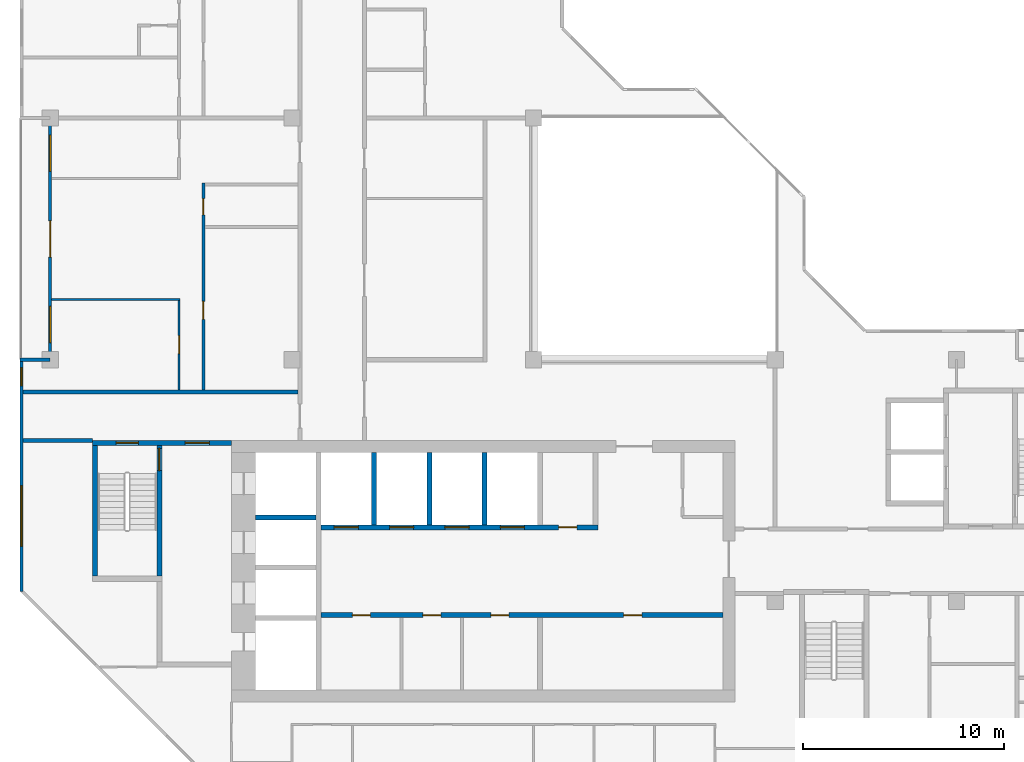
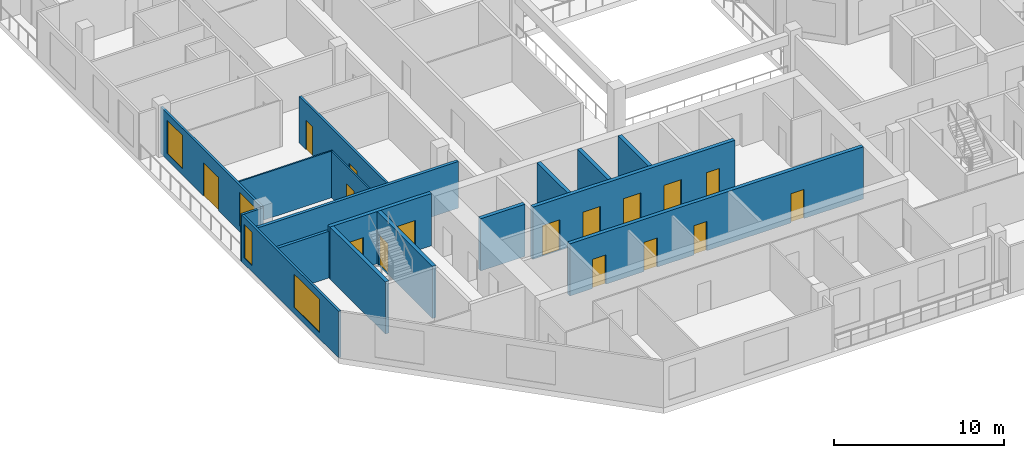
# One storey, part 5 of 13: 17 walls, 16 doors, 4 windows, 20 openings.
"""IFC4 building model written with IfcOpenShell, lengths in metres."""

import ifcopenshell
import ifcopenshell.guid

model = None  # the IFC model being written
_history = None  # IfcOwnerHistory: only IFC2X3 demands one
_inside = {}  # id of a spatial element -> (the spatial element, [elements in it])
_under = {}  # id of a project, library or spatial element -> (it, [spatial elements below it])
_declared = {}  # id of a project -> (the project, [libraries it declares])
_typed = {}  # id of a type object -> (the type object, [elements of that type])
_made_of = {}  # id of a material, layer set ... -> (it, [elements and type objects made of it])


def new_model(schema):
    """Start an empty IFC model of exactly this schema.

    Asked for "IFC4X3", IfcOpenShell would pick the latest addendum, in which some entities
    have other attributes; the version numbers below select the first issue.
    IFC2X3 requires an IfcOwnerHistory on every rooted entity: one is made here for all.
    """
    global model, _history
    if schema == "IFC4X3":
        model = ifcopenshell.file(schema_version=(4, 3, 0, 0))
    else:
        model = ifcopenshell.file(schema=schema)
    _inside.clear()
    _under.clear()
    _declared.clear()
    _typed.clear()
    _made_of.clear()
    _history = None
    if model.schema == "IFC2X3":
        org = make("IfcOrganization", Name="unknown")
        user = make(
            "IfcPersonAndOrganization",
            ThePerson=make("IfcPerson", FamilyName="unknown"),
            TheOrganization=org,
        )
        app = make(
            "IfcApplication",
            ApplicationDeveloper=org,
            Version="unknown",
            ApplicationFullName="unknown",
            ApplicationIdentifier="unknown",
        )
        _history = make(
            "IfcOwnerHistory",
            OwningUser=user,
            OwningApplication=app,
            ChangeAction="ADDED",
            CreationDate=0,
        )
    return model


def make(cls, **values):
    """One entity of the class cls with the attributes given. An attribute that is None is left unset."""
    return model.create_entity(
        cls, **{name: value for name, value in values.items() if value is not None}
    )


def rooted(cls, **values):
    """An entity with a GlobalId (a new one), such as an element, a storey or a relation."""
    return make(cls, GlobalId=ifcopenshell.guid.new(), OwnerHistory=_history, **values)


def si_unit(unit_type, name, prefix=None):
    """IfcSIUnit, for example si_unit("LENGTHUNIT", "METRE", prefix="MILLI")."""
    return make("IfcSIUnit", UnitType=unit_type, Prefix=prefix, Name=name)


def assignment(units):
    """IfcUnitAssignment: the units of a project."""
    return None if units is None else make("IfcUnitAssignment", Units=units)


def point(xyz):
    """IfcCartesianPoint."""
    return None if xyz is None else make("IfcCartesianPoint", Coordinates=xyz)


def direction(xyz):
    """IfcDirection."""
    return None if xyz is None else make("IfcDirection", DirectionRatios=xyz)


def frame(location, z_axis=None, x_axis=None):
    """IfcAxis2Placement3D, a coordinate frame: its origin and axes. An axis left out is left unset."""
    return make(
        "IfcAxis2Placement3D",
        Location=point(location),
        Axis=direction(z_axis),
        RefDirection=direction(x_axis),
    )


def frame_2d(location, x_axis=None):
    """IfcAxis2Placement2D, a coordinate frame in the plane: its origin and x axis."""
    return make(
        "IfcAxis2Placement2D", Location=point(location), RefDirection=direction(x_axis)
    )


def origin():
    """The frame at (0, 0, 0) with its axes left unset."""
    return frame((0.0, 0.0, 0.0))


def place(relative_to, where):
    """IfcLocalPlacement: puts the frame where relative to a parent placement (None: the world)."""
    return make(
        "IfcLocalPlacement", PlacementRelTo=relative_to, RelativePlacement=where
    )


def context(
    kind, dimensions, precision=None, world=None, true_north=None, identifier=None
):
    """IfcGeometricRepresentationContext, for example the 3D "Model" context."""
    return make(
        "IfcGeometricRepresentationContext",
        ContextIdentifier=identifier,
        ContextType=kind,
        CoordinateSpaceDimension=dimensions,
        Precision=precision,
        WorldCoordinateSystem=world,
        TrueNorth=true_north,
    )


def subcontext(parent, identifier, kind, view, scale=None):
    """IfcGeometricRepresentationSubContext, for example "Body" below "Model"."""
    return make(
        "IfcGeometricRepresentationSubContext",
        ContextIdentifier=identifier,
        ContextType=kind,
        ParentContext=parent,
        TargetScale=scale,
        TargetView=view,
    )


def project(units=None, contexts=None):
    """IfcProject with its units and contexts."""
    return rooted(
        "IfcProject",
        Name="project",
        RepresentationContexts=contexts,
        UnitsInContext=assignment(units),
    )


def spatial(cls, under=None, at=None, **own):
    """A site, building, storey or space (cls), placed at a placement, below another one or the project."""
    s = rooted(cls, ObjectPlacement=at, **own)
    if under is not None:
        _under.setdefault(under.id(), (under, []))[1].append(s)
    return s


def profile(cls, at=None, kind="AREA", **sizes):
    """A parametric profile (cls). Its sizes go by their IFC names, for example OverallWidth=200.0."""
    return make(cls, ProfileType=kind, Position=at, **sizes)


def rectangle(**sizes):
    """IfcRectangleProfileDef."""
    return profile("IfcRectangleProfileDef", **sizes)


def extrude(swept, where, along, depth):
    """IfcExtrudedAreaSolid: the profile swept, set in the frame where, extruded along a direction by depth."""
    return make(
        "IfcExtrudedAreaSolid",
        SweptArea=swept,
        Position=where,
        ExtrudedDirection=direction(along),
        Depth=depth,
    )


def shape(context_of_items, identifier, shape_type, items):
    """IfcShapeRepresentation: the items that make up one representation, for example the "Body"."""
    return make(
        "IfcShapeRepresentation",
        ContextOfItems=context_of_items,
        RepresentationIdentifier=identifier,
        RepresentationType=shape_type,
        Items=items,
    )


def material(Name=None, Category=None):
    """IfcMaterial."""
    return make("IfcMaterial", Name=Name, Category=Category)


def layer(
    of_material, thickness, ventilated=None, Name=None, Category=None, Priority=None
):
    """IfcMaterialLayer: one layer of a wall or slab, of a material (None: an air gap)."""
    return make(
        "IfcMaterialLayer",
        Material=of_material,
        LayerThickness=thickness,
        IsVentilated=ventilated,
        Name=Name,
        Category=Category,
        Priority=Priority,
    )


def layer_set(layers, Name=None):
    """IfcMaterialLayerSet."""
    return make("IfcMaterialLayerSet", MaterialLayers=layers, LayerSetName=Name)


def made_of(thing, what):
    """Note that an element or type object is made of a material, layer set ...; save() writes the relation."""
    if what is not None:
        _made_of.setdefault(what.id(), (what, []))[1].append(thing)
    return thing


def type_object(cls, material=None, **own):
    """A type object (cls), such as IfcWallType, which elements share."""
    return made_of(rooted(cls, **own), material)


def element(
    cls,
    number,
    at=None,
    inside=None,
    cuts=None,
    type_object=None,
    material=None,
    context=None,
    identifier="Body",
    shape_type=None,
    held_by="IfcProductDefinitionShape",
    body=None,
    shapes=None,
    **own,
):
    """One element of the class cls, such as IfcWall. Its Tag is "e" and its number.

    at: its placement. inside: the storey or other place that contains it. cuts: it is an
    opening in that element (IfcRelVoidsElement). A single representation is given by context,
    identifier, shape_type and body (its items); several are given by shapes. held_by: the class
    of the entity that holds the representations. save() writes the other relations.
    """
    e = rooted(cls, Tag="e%d" % number, ObjectPlacement=at, **own)
    if body is not None:
        shapes = [shape(context, identifier, shape_type, body)]
    if shapes is not None:
        e.Representation = make(held_by, Representations=shapes)
    if inside is not None:
        _inside.setdefault(inside.id(), (inside, []))[1].append(e)
    if cuts is not None:
        rooted(
            "IfcRelVoidsElement", RelatingBuildingElement=cuts, RelatedOpeningElement=e
        )
    if type_object is not None:
        _typed.setdefault(type_object.id(), (type_object, []))[1].append(e)
    return made_of(e, material)


def fill(opening, filler):
    """IfcRelFillsElement: the door or window that sits in an opening."""
    return rooted(
        "IfcRelFillsElement",
        RelatingOpeningElement=opening,
        RelatedBuildingElement=filler,
    )


def aggregate(whole, parts):
    """IfcRelAggregates: a whole, such as a stair, and the parts it consists of."""
    return rooted("IfcRelAggregates", RelatingObject=whole, RelatedObjects=parts)


def save(model, path):
    """Write the relations noted so far, then the file.

    IfcRelAggregates (storeys below a building ...), IfcRelContainedInSpatialStructure (elements
    in a storey), IfcRelDefinesByType, IfcRelAssociatesMaterial and IfcRelDeclares: one each for
    every whole, place, type object, material and project.
    """
    for whole, parts in _under.values():
        aggregate(whole, parts)
    for where, things in _inside.values():
        rooted(
            "IfcRelContainedInSpatialStructure",
            RelatedElements=things,
            RelatingStructure=where,
        )
    for kind, things in _typed.values():
        rooted("IfcRelDefinesByType", RelatedObjects=things, RelatingType=kind)
    for what, things in _made_of.values():
        rooted("IfcRelAssociatesMaterial", RelatedObjects=things, RelatingMaterial=what)
    for by, libraries in _declared.values():
        rooted("IfcRelDeclares", RelatingContext=by, RelatedDefinitions=libraries)
    model.write(path)


model = new_model("IFC4")

# Units and contexts
model_context = context("Model", 3, precision=1e-05, world=origin(), true_north=direction((0.0, 1.0)))
body_context = subcontext(model_context, "Body", "Model", "MODEL_VIEW")
ifc_project = project(units=[si_unit("LENGTHUNIT", "METRE"), si_unit("AREAUNIT", "SQUARE_METRE"), si_unit("VOLUMEUNIT", "CUBIC_METRE"), si_unit("PLANEANGLEUNIT", "RADIAN"), si_unit("MASSUNIT", "GRAM", prefix="KILO")], contexts=[model_context])

# Site, building, storey
site_placement = place(None, origin())
site = spatial("IfcSite", under=ifc_project, at=site_placement, CompositionType="ELEMENT")
building_placement = place(site_placement, origin())
building = spatial("IfcBuilding", under=site, at=building_placement, Name="Chenar Terraces", CompositionType="ELEMENT")
storey_placement = place(building_placement, frame((0.0, 0.0, 292.14990234375)))
storey = spatial("IfcBuildingStorey", under=building, at=storey_placement, Name="L68", CompositionType="ELEMENT", Elevation=292.14990234375)

# Wall, openings, doors
ifc_material_1 = material(Name="Concrete C50/60", Category="concrete")
ifc_layer_1 = layer(ifc_material_1, 0.25)
ifc_layer_set_1 = layer_set([ifc_layer_1], Name="Concrete C50/60")
wall_type_1 = type_object("IfcWallType", Name="Core wall 250 Concrete C50/60", PredefinedType="SHEAR", material=ifc_layer_set_1)
wall_1_placement = place(storey_placement, frame((13.449951171875, 11.324951171875, 0.0), z_axis=(0.0, 0.0, 1.0), x_axis=(1.0, 0.0, 0.0)))
wall_1 = element("IfcWall", 1, at=wall_1_placement, inside=storey, type_object=wall_type_1, Name="Core wall SF L68", PredefinedType="SHEAR", context=body_context, shape_type="SweptSolid", body=[
    extrude(rectangle(XDim=19.949951171875, YDim=0.25, at=frame_2d((9.97509765625, 0.0))), origin(), (0.0, 0.0, 1.0), 3.75),
])
opening_1_placement = place(wall_1_placement, frame((1.550048828125, 0.0, 0.0)))
opening_1 = element("IfcOpeningElement", 2, at=opening_1_placement, cuts=wall_1, Name="Opening DL68-C12", PredefinedType="OPENING", context=body_context, shape_type="SweptSolid", body=[
    extrude(rectangle(XDim=0.89990234375, YDim=2.10009765625, at=frame_2d((0.449951171875, 1.050048828125))), frame((0.0, 0.135009765625, 0.0), z_axis=(0.0, -1.0, 0.0), x_axis=(1.0, 0.0, 0.0)), (0.0, 0.0, 1.0), 0.27001953125),
])
opening_2_placement = place(wall_1_placement, frame((5.050048828125, 0.0, 0.0)))
opening_2 = element("IfcOpeningElement", 3, at=opening_2_placement, cuts=wall_1, Name="Opening DL68-C13", PredefinedType="OPENING", context=body_context, shape_type="SweptSolid", body=[
    extrude(rectangle(XDim=0.89990234375, YDim=2.10009765625, at=frame_2d((0.449951171875, 1.050048828125))), frame((0.0, 0.135009765625, 0.0), z_axis=(0.0, -1.0, 0.0), x_axis=(1.0, 0.0, 0.0)), (0.0, 0.0, 1.0), 0.27001953125),
])
opening_3_placement = place(wall_1_placement, frame((8.425048828125, 0.0, 0.0)))
opening_3 = element("IfcOpeningElement", 4, at=opening_3_placement, cuts=wall_1, Name="Opening DL68-C14", PredefinedType="OPENING", context=body_context, shape_type="SweptSolid", body=[
    extrude(rectangle(XDim=0.89990234375, YDim=2.10009765625, at=frame_2d((0.449951171875, 1.050048828125))), frame((0.0, 0.135009765625, 0.0), z_axis=(0.0, -1.0, 0.0), x_axis=(1.0, 0.0, 0.0)), (0.0, 0.0, 1.0), 0.27001953125),
])
opening_4_placement = place(wall_1_placement, frame((15.02490234375, 0.0, 0.0)))
opening_4 = element("IfcOpeningElement", 5, at=opening_4_placement, cuts=wall_1, Name="Opening DL68-C15", PredefinedType="OPENING", context=body_context, shape_type="SweptSolid", body=[
    extrude(rectangle(XDim=0.89990234375, YDim=2.10009765625, at=frame_2d((0.449951171875, 1.050048828125))), frame((0.0, 0.135009765625, 0.0), z_axis=(0.0, -1.0, 0.0), x_axis=(1.0, 0.0, 0.0)), (0.0, 0.0, 1.0), 0.27001953125),
])
ifc_material_2 = material(Name="Steel-framed fire-resisting door leaf", Category="steel")
door_type_1 = type_object("IfcDoorType", Name="Riser fire door FD60 900 x 2100", OperationType="SINGLE_SWING_LEFT", PredefinedType="DOOR", material=ifc_material_2)
door_1_placement = place(opening_1_placement, frame((0.89990234375, 0.0, 0.0), z_axis=(0.0, 0.0, 1.0), x_axis=(-1.0, 0.0, 0.0)))
door_1 = element("IfcDoor", 6, at=door_1_placement, inside=storey, type_object=door_type_1, Name="Core room door DL68-C12", OperationType="SINGLE_SWING_LEFT", OverallHeight=2.10009765625, OverallWidth=0.89990234375, PredefinedType="DOOR", context=body_context, shape_type="SweptSolid", body=[
    extrude(rectangle(XDim=0.89990234375, YDim=2.10009765625, at=frame_2d((0.449951171875, 1.050048828125))), frame((0.0, 0.02490234375, 0.0), z_axis=(0.0, -1.0, 0.0), x_axis=(1.0, 0.0, 0.0)), (0.0, 0.0, 1.0), 0.050048828125),
])
fill(opening_1, door_1)
door_2_placement = place(opening_2_placement, frame((0.89990234375, 0.0, 0.0), z_axis=(0.0, 0.0, 1.0), x_axis=(-1.0, 0.0, 0.0)))
door_2 = element("IfcDoor", 7, at=door_2_placement, inside=storey, type_object=door_type_1, Name="Core room door DL68-C13", OperationType="SINGLE_SWING_LEFT", OverallHeight=2.10009765625, OverallWidth=0.89990234375, PredefinedType="DOOR", context=body_context, shape_type="SweptSolid", body=[
    extrude(rectangle(XDim=0.89990234375, YDim=2.10009765625, at=frame_2d((0.449951171875, 1.050048828125))), frame((0.0, 0.02490234375, 0.0), z_axis=(0.0, -1.0, 0.0), x_axis=(1.0, 0.0, 0.0)), (0.0, 0.0, 1.0), 0.050048828125),
])
fill(opening_2, door_2)
door_3_placement = place(opening_3_placement, frame((0.89990234375, 0.0, 0.0), z_axis=(0.0, 0.0, 1.0), x_axis=(-1.0, 0.0, 0.0)))
door_3 = element("IfcDoor", 8, at=door_3_placement, inside=storey, type_object=door_type_1, Name="Core room door DL68-C14", OperationType="SINGLE_SWING_RIGHT", OverallHeight=2.10009765625, OverallWidth=0.89990234375, PredefinedType="DOOR", context=body_context, shape_type="SweptSolid", body=[
    extrude(rectangle(XDim=0.89990234375, YDim=2.10009765625, at=frame_2d((0.449951171875, 1.050048828125))), frame((0.0, 0.02490234375, 0.0), z_axis=(0.0, -1.0, 0.0), x_axis=(1.0, 0.0, 0.0)), (0.0, 0.0, 1.0), 0.050048828125),
])
fill(opening_3, door_3)
door_4_placement = place(opening_4_placement, frame((0.89990234375, 0.0, 0.0), z_axis=(0.0, 0.0, 1.0), x_axis=(-1.0, 0.0, 0.0)))
door_4 = element("IfcDoor", 9, at=door_4_placement, inside=storey, type_object=door_type_1, Name="Core room door DL68-C15", OperationType="SINGLE_SWING_LEFT", OverallHeight=2.10009765625, OverallWidth=0.89990234375, PredefinedType="DOOR", context=body_context, shape_type="SweptSolid", body=[
    extrude(rectangle(XDim=0.89990234375, YDim=2.10009765625, at=frame_2d((0.449951171875, 1.050048828125))), frame((0.0, 0.02490234375, 0.0), z_axis=(0.0, -1.0, 0.0), x_axis=(1.0, 0.0, 0.0)), (0.0, 0.0, 1.0), 0.050048828125),
])
fill(opening_4, door_4)

wall_2_placement = place(storey_placement, frame((13.449951171875, 15.675048828125, 0.0), z_axis=(0.0, 0.0, 1.0), x_axis=(1.0, 0.0, 0.0)))
wall_2 = element("IfcWall", 10, at=wall_2_placement, inside=storey, type_object=wall_type_1, Name="Core wall NF L68", PredefinedType="SHEAR", context=body_context, shape_type="SweptSolid", body=[
    extrude(rectangle(XDim=13.75, YDim=0.25, at=frame_2d((6.875, 0.0))), origin(), (0.0, 0.0, 1.0), 3.75),
])
opening_5_placement = place(wall_2_placement, frame((0.64990234375, 0.0, 0.0)))
opening_5 = element("IfcOpeningElement", 11, at=opening_5_placement, cuts=wall_2, Name="Opening DL68-LD1", PredefinedType="OPENING", context=body_context, shape_type="SweptSolid", body=[
    extrude(rectangle(XDim=1.199951171875, YDim=2.199951171875, at=frame_2d((0.60009765625, 1.10009765625))), frame((0.0, 0.135009765625, 0.0), z_axis=(0.0, -1.0, 0.0), x_axis=(1.0, 0.0, 0.0)), (0.0, 0.0, 1.0), 0.27001953125),
])
opening_6_placement = place(wall_2_placement, frame((3.39990234375, 0.0, 0.0)))
opening_6 = element("IfcOpeningElement", 12, at=opening_6_placement, cuts=wall_2, Name="Opening DL68-LD2", PredefinedType="OPENING", context=body_context, shape_type="SweptSolid", body=[
    extrude(rectangle(XDim=1.199951171875, YDim=2.199951171875, at=frame_2d((0.60009765625, 1.10009765625))), frame((0.0, 0.135009765625, 0.0), z_axis=(0.0, -1.0, 0.0), x_axis=(1.0, 0.0, 0.0)), (0.0, 0.0, 1.0), 0.27001953125),
])
opening_7_placement = place(wall_2_placement, frame((6.14990234375, 0.0, 0.0)))
opening_7 = element("IfcOpeningElement", 13, at=opening_7_placement, cuts=wall_2, Name="Opening DL68-LD3", PredefinedType="OPENING", context=body_context, shape_type="SweptSolid", body=[
    extrude(rectangle(XDim=1.199951171875, YDim=2.199951171875, at=frame_2d((0.60009765625, 1.10009765625))), frame((0.0, 0.135009765625, 0.0), z_axis=(0.0, -1.0, 0.0), x_axis=(1.0, 0.0, 0.0)), (0.0, 0.0, 1.0), 0.27001953125),
])
opening_8_placement = place(wall_2_placement, frame((8.89990234375, 0.0, 0.0)))
opening_8 = element("IfcOpeningElement", 14, at=opening_8_placement, cuts=wall_2, Name="Opening DL68-LD4", PredefinedType="OPENING", context=body_context, shape_type="SweptSolid", body=[
    extrude(rectangle(XDim=1.199951171875, YDim=2.199951171875, at=frame_2d((0.60009765625, 1.10009765625))), frame((0.0, 0.135009765625, 0.0), z_axis=(0.0, -1.0, 0.0), x_axis=(1.0, 0.0, 0.0)), (0.0, 0.0, 1.0), 0.27001953125),
])
opening_9_placement = place(wall_2_placement, frame((11.800048828125, 0.0, 0.0)))
opening_9 = element("IfcOpeningElement", 15, at=opening_9_placement, cuts=wall_2, Name="Opening DL68-C16", PredefinedType="OPENING", context=body_context, shape_type="SweptSolid", body=[
    extrude(rectangle(XDim=0.89990234375, YDim=2.10009765625, at=frame_2d((0.449951171875, 1.050048828125))), frame((0.0, 0.135009765625, 0.0), z_axis=(0.0, -1.0, 0.0), x_axis=(1.0, 0.0, 0.0)), (0.0, 0.0, 1.0), 0.27001953125),
])
ifc_material_3 = material(Name="Stainless steel", Category="steel")
door_type_2 = type_object("IfcDoorType", Name="Lift landing door 1200 x 2200 sliding", OperationType="DOUBLE_DOOR_SLIDING", PredefinedType="DOOR", material=ifc_material_3)
door_5_placement = place(opening_5_placement, origin())
door_5 = element("IfcDoor", 16, at=door_5_placement, inside=storey, type_object=door_type_2, Name="Landing door H1", OperationType="DOUBLE_DOOR_SLIDING", OverallHeight=2.199951171875, OverallWidth=1.199951171875, PredefinedType="DOOR", context=body_context, shape_type="SweptSolid", body=[
    extrude(rectangle(XDim=1.199951171875, YDim=2.199951171875, at=frame_2d((0.60009765625, 1.10009765625))), frame((0.0, 0.02490234375, 0.0), z_axis=(0.0, -1.0, 0.0), x_axis=(1.0, 0.0, 0.0)), (0.0, 0.0, 1.0), 0.050048828125),
])
fill(opening_5, door_5)
door_6_placement = place(opening_6_placement, origin())
door_6 = element("IfcDoor", 17, at=door_6_placement, inside=storey, type_object=door_type_2, Name="Landing door H2", OperationType="DOUBLE_DOOR_SLIDING", OverallHeight=2.199951171875, OverallWidth=1.199951171875, PredefinedType="DOOR", context=body_context, shape_type="SweptSolid", body=[
    extrude(rectangle(XDim=1.199951171875, YDim=2.199951171875, at=frame_2d((0.60009765625, 1.10009765625))), frame((0.0, 0.02490234375, 0.0), z_axis=(0.0, -1.0, 0.0), x_axis=(1.0, 0.0, 0.0)), (0.0, 0.0, 1.0), 0.050048828125),
])
fill(opening_6, door_6)
door_7_placement = place(opening_7_placement, origin())
door_7 = element("IfcDoor", 18, at=door_7_placement, inside=storey, type_object=door_type_2, Name="Landing door H3", OperationType="DOUBLE_DOOR_SLIDING", OverallHeight=2.199951171875, OverallWidth=1.199951171875, PredefinedType="DOOR", context=body_context, shape_type="SweptSolid", body=[
    extrude(rectangle(XDim=1.199951171875, YDim=2.199951171875, at=frame_2d((0.60009765625, 1.10009765625))), frame((0.0, 0.02490234375, 0.0), z_axis=(0.0, -1.0, 0.0), x_axis=(1.0, 0.0, 0.0)), (0.0, 0.0, 1.0), 0.050048828125),
])
fill(opening_7, door_7)
door_8_placement = place(opening_8_placement, origin())
door_8 = element("IfcDoor", 19, at=door_8_placement, inside=storey, type_object=door_type_2, Name="Landing door H4", OperationType="DOUBLE_DOOR_SLIDING", OverallHeight=2.199951171875, OverallWidth=1.199951171875, PredefinedType="DOOR", context=body_context, shape_type="SweptSolid", body=[
    extrude(rectangle(XDim=1.199951171875, YDim=2.199951171875, at=frame_2d((0.60009765625, 1.10009765625))), frame((0.0, 0.02490234375, 0.0), z_axis=(0.0, -1.0, 0.0), x_axis=(1.0, 0.0, 0.0)), (0.0, 0.0, 1.0), 0.050048828125),
])
fill(opening_8, door_8)
door_9_placement = place(opening_9_placement, origin())
door_9 = element("IfcDoor", 20, at=door_9_placement, inside=storey, type_object=door_type_1, Name="Core room door DL68-C16", OperationType="SINGLE_SWING_RIGHT", OverallHeight=2.10009765625, OverallWidth=0.89990234375, PredefinedType="DOOR", context=body_context, shape_type="SweptSolid", body=[
    extrude(rectangle(XDim=0.89990234375, YDim=2.10009765625, at=frame_2d((0.449951171875, 1.050048828125))), frame((0.0, 0.02490234375, 0.0), z_axis=(0.0, -1.0, 0.0), x_axis=(1.0, 0.0, 0.0)), (0.0, 0.0, 1.0), 0.050048828125),
])
fill(opening_9, door_9)

# Walls
wall_3_placement = place(storey_placement, frame((10.199951171875, 16.175048828125, 0.0), z_axis=(0.0, 0.0, 1.0), x_axis=(1.0, 0.0, 0.0)))
element("IfcWall", 21, at=wall_3_placement, inside=storey, type_object=wall_type_1, Name="Core wall HW2 L68", PredefinedType="SHEAR", context=body_context, shape_type="SweptSolid", body=[
    extrude(rectangle(XDim=3.0, YDim=0.25, at=frame_2d((1.5, 0.0))), origin(), (0.0, 0.0, 1.0), 3.75),
])
for number, where, z_axis, x_axis, name in (
    (22, (16.074951171875, 15.800048828125, 0.0), (0.0, 0.0, 1.0), (0.0, 1.0, 0.0), "Core wall NS0 L68"),
    (23, (18.824951171875, 15.800048828125, 0.0), (0.0, 0.0, 1.0), (0.0, 1.0, 0.0), "Core wall NS1 L68"),
    (24, (21.574951171875, 15.800048828125, 0.0), (0.0, 0.0, 1.0), (0.0, 1.0, 0.0), "Core wall NS2 L68"),
):
    element("IfcWall", number, at=place(storey_placement, frame(where, z_axis=z_axis, x_axis=x_axis)), inside=storey, type_object=wall_type_1, Name=name, PredefinedType="SHEAR", context=body_context, shape_type="SweptSolid", body=[
        extrude(rectangle(XDim=3.599853515625, YDim=0.25, at=frame_2d((1.7998046875, 0.0))), origin(), (0.0, 0.0, 1.0), 3.75),
    ])

# Wall, openings, doors
wall_4_placement = place(storey_placement, frame((2.10009765625, 19.875, 0.0), z_axis=(0.0, 0.0, 1.0), x_axis=(1.0, 0.0, 0.0)))
wall_4 = element("IfcWall", 25, at=wall_4_placement, inside=storey, type_object=wall_type_1, Name="Core wall A_N L68", PredefinedType="SHEAR", context=body_context, shape_type="SweptSolid", body=[
    extrude(rectangle(XDim=6.89990234375, YDim=0.25, at=frame_2d((3.449951171875, 0.0))), origin(), (0.0, 0.0, 1.0), 3.75),
])
opening_10_placement = place(wall_4_placement, frame((1.175048828125, 0.0, 0.0)))
opening_10 = element("IfcOpeningElement", 26, at=opening_10_placement, cuts=wall_4, Name="Opening DL68-C5", PredefinedType="OPENING", context=body_context, shape_type="SweptSolid", body=[
    extrude(rectangle(XDim=1.10009765625, YDim=2.199951171875, at=frame_2d((0.550048828125, 1.10009765625))), frame((0.0, 0.135009765625, 0.0), z_axis=(0.0, -1.0, 0.0), x_axis=(1.0, 0.0, 0.0)), (0.0, 0.0, 1.0), 0.27001953125),
])
opening_11_placement = place(wall_4_placement, frame((4.60009765625, 0.0, 0.0)))
opening_11 = element("IfcOpeningElement", 27, at=opening_11_placement, cuts=wall_4, Name="Opening DL68-C6", PredefinedType="OPENING", context=body_context, shape_type="SweptSolid", body=[
    extrude(rectangle(XDim=1.199951171875, YDim=2.199951171875, at=frame_2d((0.60009765625, 1.10009765625))), frame((0.0, 0.135009765625, 0.0), z_axis=(0.0, -1.0, 0.0), x_axis=(1.0, 0.0, 0.0)), (0.0, 0.0, 1.0), 0.27001953125),
])
ifc_material_4 = material(Name="Steel-framed fire-resisting door leaf", Category="steel")
door_type_3 = type_object("IfcDoorType", Name="Lobby fire door FD60 1200 x 2200", OperationType="SINGLE_SWING_LEFT", PredefinedType="DOOR", material=ifc_material_4)
door_10_placement = place(opening_11_placement, frame((1.199951171875, 0.0, 0.0), z_axis=(0.0, 0.0, 1.0), x_axis=(-1.0, 0.0, 0.0)))
door_10 = element("IfcDoor", 28, at=door_10_placement, inside=storey, type_object=door_type_3, Name="Core door DL68-C6", OperationType="SINGLE_SWING_LEFT", OverallHeight=2.199951171875, OverallWidth=1.199951171875, PredefinedType="DOOR", context=body_context, shape_type="SweptSolid", body=[
    extrude(rectangle(XDim=1.199951171875, YDim=2.199951171875, at=frame_2d((0.60009765625, 1.10009765625))), frame((0.0, 0.02490234375, 0.0), z_axis=(0.0, -1.0, 0.0), x_axis=(1.0, 0.0, 0.0)), (0.0, 0.0, 1.0), 0.050048828125),
])
fill(opening_11, door_10)
ifc_material_5 = material(Name="Steel-framed fire-resisting door leaf", Category="steel")
door_type_4 = type_object("IfcDoorType", Name="Stair fire door FD60 1100 x 2200", OperationType="SINGLE_SWING_LEFT", PredefinedType="DOOR", material=ifc_material_5)
door_11_placement = place(opening_10_placement, origin())
door_11 = element("IfcDoor", 29, at=door_11_placement, inside=storey, type_object=door_type_4, Name="Stair door DL68-C5", OperationType="SINGLE_SWING_LEFT", OverallHeight=2.199951171875, OverallWidth=1.10009765625, PredefinedType="DOOR", context=body_context, shape_type="SweptSolid", body=[
    extrude(rectangle(XDim=1.10009765625, YDim=2.199951171875, at=frame_2d((0.550048828125, 1.10009765625))), frame((0.0, 0.02490234375, 0.0), z_axis=(0.0, -1.0, 0.0), x_axis=(1.0, 0.0, 0.0)), (0.0, 0.0, 1.0), 0.050048828125),
])
fill(opening_10, door_11)

# Wall
wall_5_placement = place(storey_placement, frame((2.22509765625, 13.25, 0.0), z_axis=(0.0, 0.0, 1.0), x_axis=(0.0, 1.0, 0.0)))
element("IfcWall", 30, at=wall_5_placement, inside=storey, type_object=wall_type_1, Name="Core wall ST1_W L68", PredefinedType="SHEAR", context=body_context, shape_type="SweptSolid", body=[
    extrude(rectangle(XDim=6.5, YDim=0.25, at=frame_2d((3.25, 0.0))), origin(), (0.0, 0.0, 1.0), 3.75),
])

# Wall, opening, door
wall_6_placement = place(storey_placement, frame((5.425048828125, 13.25, 0.0), z_axis=(0.0, 0.0, 1.0), x_axis=(0.0, 1.0, 0.0)))
wall_6 = element("IfcWall", 31, at=wall_6_placement, inside=storey, type_object=wall_type_1, Name="Core wall ST1_E L68", PredefinedType="SHEAR", context=body_context, shape_type="SweptSolid", body=[
    extrude(rectangle(XDim=6.5, YDim=0.25, at=frame_2d((3.25, 0.0))), origin(), (0.0, 0.0, 1.0), 3.75),
])
opening_12_placement = place(wall_6_placement, frame((5.25, 0.0, 0.0)))
opening_12 = element("IfcOpeningElement", 32, at=opening_12_placement, cuts=wall_6, Name="Opening DL68-C3", PredefinedType="OPENING", context=body_context, shape_type="SweptSolid", body=[
    extrude(rectangle(XDim=1.10009765625, YDim=2.199951171875, at=frame_2d((0.550048828125, 1.10009765625))), frame((0.0, 0.135009765625, 0.0), z_axis=(0.0, -1.0, 0.0), x_axis=(1.0, 0.0, 0.0)), (0.0, 0.0, 1.0), 0.27001953125),
])
door_12_placement = place(opening_12_placement, origin())
door_12 = element("IfcDoor", 33, at=door_12_placement, inside=storey, type_object=door_type_4, Name="Stair door DL68-C3", OperationType="SINGLE_SWING_RIGHT", OverallHeight=2.199951171875, OverallWidth=1.10009765625, PredefinedType="DOOR", context=body_context, shape_type="SweptSolid", body=[
    extrude(rectangle(XDim=1.10009765625, YDim=2.199951171875, at=frame_2d((0.550048828125, 1.10009765625))), frame((0.0, 0.02490234375, 0.0), z_axis=(0.0, -1.0, 0.0), x_axis=(1.0, 0.0, 0.0)), (0.0, 0.0, 1.0), 0.050048828125),
])
fill(opening_12, door_12)

# Walls
ifc_material_6 = material(Name="Gypsum board on steel studs with fire boards", Category="steel")
ifc_layer_2 = layer(ifc_material_6, 0.199951171875)
ifc_layer_set_2 = layer_set([ifc_layer_2], Name="Gypsum board on steel studs with fire boards")
wall_type_2 = type_object("IfcWallType", Name="Corridor wall 200", PredefinedType="PARTITIONING", material=ifc_layer_set_2)
wall_7_placement = place(storey_placement, frame((-1.35009765625, 20.0, 0.0), z_axis=(0.0, 0.0, 1.0), x_axis=(1.0, 0.0, 0.0)))
element("IfcWall", 34, at=wall_7_placement, inside=storey, type_object=wall_type_2, Name="Partition L68-003", PredefinedType="PARTITIONING", context=body_context, shape_type="SweptSolid", body=[
    extrude(rectangle(XDim=3.4501953125, YDim=0.199951171875, at=frame_2d((1.72509765625, 0.0))), origin(), (0.0, 0.0, 1.0), 3.35009765625),
])
wall_8_placement = place(storey_placement, frame((-1.35009765625, 22.39990234375, 0.0), z_axis=(0.0, 0.0, 1.0), x_axis=(1.0, 0.0, 0.0)))
element("IfcWall", 35, at=wall_8_placement, inside=storey, type_object=wall_type_2, Name="Partition L68-004", PredefinedType="PARTITIONING", context=body_context, shape_type="SweptSolid", body=[
    extrude(rectangle(XDim=13.650146484375, YDim=0.199951171875, at=frame_2d((6.8251953125, 0.0))), origin(), (0.0, 0.0, 1.0), 3.35009765625),
])

# Wall, openings, windows
ifc_material_7 = material(Name="Aluminium framed glazing", Category="aluminium")
ifc_layer_3 = layer(ifc_material_7, 0.14990234375)
ifc_layer_set_3 = layer_set([ifc_layer_3], Name="Aluminium framed glazing")
wall_type_3 = type_object("IfcWallType", Name="Glazed flush facade wall 150", PredefinedType="SOLIDWALL", material=ifc_layer_set_3)
wall_9_placement = place(storey_placement, frame((-1.425048828125, 23.925048828125, 0.0), z_axis=(0.0, 0.0, 1.0), x_axis=(0.0, -1.0, 0.0)))
wall_9 = element("IfcWall", 36, at=wall_9_placement, inside=storey, type_object=wall_type_3, Name="Glazed flush facade wall", PredefinedType="SOLIDWALL", context=body_context, shape_type="SweptSolid", body=[
    extrude(rectangle(XDim=11.425048828125, YDim=0.14990234375, at=frame_2d((5.71240234375, 0.0))), origin(), (0.0, 0.0, 1.0), 3.35009765625),
])
opening_13_placement = place(wall_9_placement, frame((0.3125, 0.0, 0.449951171875)))
opening_13 = element("IfcOpeningElement", 37, at=opening_13_placement, cuts=wall_9, Name="Opening W90x240", PredefinedType="OPENING", context=body_context, shape_type="SweptSolid", body=[
    extrude(rectangle(XDim=0.89990234375, YDim=2.39990234375, at=frame_2d((0.449951171875, 1.199951171875))), frame((0.0, 0.0849609375, 0.0), z_axis=(0.0, -1.0, 0.0), x_axis=(1.0, 0.0, 0.0)), (0.0, 0.0, 1.0), 0.169921875),
])
opening_14_placement = place(wall_9_placement, frame((6.175048828125, 0.0, 0.449951171875)))
opening_14 = element("IfcOpeningElement", 38, at=opening_14_placement, cuts=wall_9, Name="Opening W300x240", PredefinedType="OPENING", context=body_context, shape_type="SweptSolid", body=[
    extrude(rectangle(XDim=3.0, YDim=2.39990234375, at=frame_2d((1.5, 1.199951171875))), frame((0.0, 0.0849609375, 0.0), z_axis=(0.0, -1.0, 0.0), x_axis=(1.0, 0.0, 0.0)), (0.0, 0.0, 1.0), 0.169921875),
])
ifc_material_8 = material(Name="Low emissivity double glazing, aluminium frame", Category="aluminium")
window_type_1 = type_object("IfcWindowType", Name="Fixed light 3000 x 2400", PartitioningType="SINGLE_PANEL", PredefinedType="WINDOW", material=ifc_material_8)
window_1_placement = place(opening_14_placement, origin())
window_1 = element("IfcWindow", 39, at=window_1_placement, inside=storey, type_object=window_type_1, Name="Window", OverallHeight=2.39990234375, OverallWidth=3.0, PartitioningType="SINGLE_PANEL", PredefinedType="WINDOW", context=body_context, shape_type="SweptSolid", body=[
    extrude(rectangle(XDim=3.0, YDim=2.39990234375, at=frame_2d((1.5, 1.199951171875))), frame((0.0, 0.030029296875, 0.0), z_axis=(0.0, -1.0, 0.0), x_axis=(1.0, 0.0, 0.0)), (0.0, 0.0, 1.0), 0.06005859375),
])
fill(opening_14, window_1)
ifc_material_9 = material(Name="Low emissivity double glazing, aluminium frame", Category="aluminium")
window_type_2 = type_object("IfcWindowType", Name="Fixed light 900 x 2400", PartitioningType="SINGLE_PANEL", PredefinedType="WINDOW", material=ifc_material_9)
window_2_placement = place(opening_13_placement, origin())
window_2 = element("IfcWindow", 40, at=window_2_placement, inside=storey, type_object=window_type_2, Name="Window", OverallHeight=2.39990234375, OverallWidth=0.89990234375, PartitioningType="SINGLE_PANEL", PredefinedType="WINDOW", context=body_context, shape_type="SweptSolid", body=[
    extrude(rectangle(XDim=0.89990234375, YDim=2.39990234375, at=frame_2d((0.449951171875, 1.199951171875))), frame((0.0, 0.030029296875, 0.0), z_axis=(0.0, -1.0, 0.0), x_axis=(1.0, 0.0, 0.0)), (0.0, 0.0, 1.0), 0.06005859375),
])
fill(opening_13, window_2)

# Wall, openings, windows, door
ifc_material_10 = material(Name="Aluminium framed glazing", Category="aluminium")
ifc_layer_4 = layer(ifc_material_10, 0.14990234375)
ifc_layer_set_4 = layer_set([ifc_layer_4], Name="Aluminium framed glazing")
wall_type_4 = type_object("IfcWallType", Name="Glazed loggia back wall 150", PredefinedType="SOLIDWALL", material=ifc_layer_set_4)
wall_10_placement = place(storey_placement, frame((0.0, 35.925048828125, 0.0), z_axis=(0.0, 0.0, 1.0), x_axis=(0.0, -1.0, 0.0)))
wall_10 = element("IfcWall", 41, at=wall_10_placement, inside=storey, type_object=wall_type_4, Name="Glazed loggia back wall", PredefinedType="SOLIDWALL", context=body_context, shape_type="SweptSolid", body=[
    extrude(rectangle(XDim=11.85009765625, YDim=0.14990234375, at=frame_2d((5.925048828125, 0.0))), origin(), (0.0, 0.0, 1.0), 3.35009765625),
])
opening_15_placement = place(wall_10_placement, frame((0.77490234375, 0.0, 0.449951171875)))
opening_15 = element("IfcOpeningElement", 42, at=opening_15_placement, cuts=wall_10, Name="Opening W180x240", PredefinedType="OPENING", context=body_context, shape_type="SweptSolid", body=[
    extrude(rectangle(XDim=1.800048828125, YDim=2.39990234375, at=frame_2d((0.89990234375, 1.199951171875))), frame((0.0, 0.0849609375, 0.0), z_axis=(0.0, -1.0, 0.0), x_axis=(1.0, 0.0, 0.0)), (0.0, 0.0, 1.0), 0.169921875),
])
opening_16_placement = place(wall_10_placement, frame((5.02490234375, 0.0, 0.0)))
opening_16 = element("IfcOpeningElement", 43, at=opening_16_placement, cuts=wall_10, Name="Opening DL68-G4", PredefinedType="OPENING", context=body_context, shape_type="SweptSolid", body=[
    extrude(rectangle(XDim=1.800048828125, YDim=2.39990234375, at=frame_2d((0.89990234375, 1.199951171875))), frame((0.0, 0.0849609375, 0.0), z_axis=(0.0, -1.0, 0.0), x_axis=(1.0, 0.0, 0.0)), (0.0, 0.0, 1.0), 0.169921875),
])
opening_17_placement = place(wall_10_placement, frame((9.27490234375, 0.0, 0.449951171875)))
opening_17 = element("IfcOpeningElement", 44, at=opening_17_placement, cuts=wall_10, Name="Opening W180x240", PredefinedType="OPENING", context=body_context, shape_type="SweptSolid", body=[
    extrude(rectangle(XDim=1.800048828125, YDim=2.39990234375, at=frame_2d((0.89990234375, 1.199951171875))), frame((0.0, 0.0849609375, 0.0), z_axis=(0.0, -1.0, 0.0), x_axis=(1.0, 0.0, 0.0)), (0.0, 0.0, 1.0), 0.169921875),
])
ifc_material_11 = material(Name="Low emissivity double glazing, aluminium frame", Category="aluminium")
window_type_3 = type_object("IfcWindowType", Name="Fixed light 1800 x 2400", PartitioningType="SINGLE_PANEL", PredefinedType="WINDOW", material=ifc_material_11)
window_3_placement = place(opening_15_placement, origin())
window_3 = element("IfcWindow", 45, at=window_3_placement, inside=storey, type_object=window_type_3, Name="Window", OverallHeight=2.39990234375, OverallWidth=1.800048828125, PartitioningType="SINGLE_PANEL", PredefinedType="WINDOW", context=body_context, shape_type="SweptSolid", body=[
    extrude(rectangle(XDim=1.800048828125, YDim=2.39990234375, at=frame_2d((0.89990234375, 1.199951171875))), frame((0.0, 0.030029296875, 0.0), z_axis=(0.0, -1.0, 0.0), x_axis=(1.0, 0.0, 0.0)), (0.0, 0.0, 1.0), 0.06005859375),
])
fill(opening_15, window_3)
window_4_placement = place(opening_17_placement, origin())
window_4 = element("IfcWindow", 46, at=window_4_placement, inside=storey, type_object=window_type_3, Name="Window", OverallHeight=2.39990234375, OverallWidth=1.800048828125, PartitioningType="SINGLE_PANEL", PredefinedType="WINDOW", context=body_context, shape_type="SweptSolid", body=[
    extrude(rectangle(XDim=1.800048828125, YDim=2.39990234375, at=frame_2d((0.89990234375, 1.199951171875))), frame((0.0, 0.030029296875, 0.0), z_axis=(0.0, -1.0, 0.0), x_axis=(1.0, 0.0, 0.0)), (0.0, 0.0, 1.0), 0.06005859375),
])
fill(opening_17, window_4)
ifc_material_12 = material(Name="Low emissivity double glazing, aluminium frame", Category="aluminium")
door_type_5 = type_object("IfcDoorType", Name="Loggia glazed double door 1800 x 2400", OperationType="DOUBLE_DOOR_SINGLE_SWING", PredefinedType="DOOR", material=ifc_material_12)
door_13_placement = place(opening_16_placement, frame((1.800048828125, 0.0, 0.0), z_axis=(0.0, 0.0, 1.0), x_axis=(-1.0, 0.0, 0.0)))
door_13 = element("IfcDoor", 47, at=door_13_placement, inside=storey, type_object=door_type_5, Name="Loggia glazed door", OperationType="DOUBLE_DOOR_SINGLE_SWING", OverallHeight=2.39990234375, OverallWidth=1.800048828125, PredefinedType="DOOR", context=body_context, shape_type="SweptSolid", body=[
    extrude(rectangle(XDim=1.800048828125, YDim=2.39990234375, at=frame_2d((0.89990234375, 1.199951171875))), frame((0.0, 0.02490234375, 0.0), z_axis=(0.0, -1.0, 0.0), x_axis=(1.0, 0.0, 0.0)), (0.0, 0.0, 1.0), 0.050048828125),
])
fill(opening_16, door_13)

# Wall
ifc_material_13 = material(Name="Gypsum board on steel studs", Category="steel")
ifc_layer_5 = layer(ifc_material_13, 0.10009765625)
ifc_layer_set_5 = layer_set([ifc_layer_5], Name="Gypsum board on steel studs")
wall_type_5 = type_object("IfcWallType", Name="Gypsum partition 100", PredefinedType="PARTITIONING", material=ifc_layer_set_5)
wall_11_placement = place(storey_placement, frame((0.073974609375, 27.0, 0.0), z_axis=(0.0, 0.0, 1.0), x_axis=(1.0, 0.0, 0.0)))
element("IfcWall", 48, at=wall_11_placement, inside=storey, type_object=wall_type_5, Name="Partition L68-007", PredefinedType="PARTITIONING", context=body_context, shape_type="SweptSolid", body=[
    extrude(rectangle(XDim=6.3759765625, YDim=0.10009765625, at=frame_2d((3.18798828125, 0.0))), origin(), (0.0, 0.0, 1.0), 3.35009765625),
])

# Wall, opening, door
wall_12_placement = place(storey_placement, frame((6.39990234375, 22.5, 0.0), z_axis=(0.0, 0.0, 1.0), x_axis=(0.0, 1.0, 0.0)))
wall_12 = element("IfcWall", 49, at=wall_12_placement, inside=storey, type_object=wall_type_5, Name="Partition L68-014", PredefinedType="PARTITIONING", context=body_context, shape_type="SweptSolid", body=[
    extrude(rectangle(XDim=4.449951171875, YDim=0.10009765625, at=frame_2d((2.22509765625, 0.0))), origin(), (0.0, 0.0, 1.0), 3.35009765625),
])
opening_18_placement = place(wall_12_placement, frame((1.800048828125, 0.0, 0.0)))
opening_18 = element("IfcOpeningElement", 50, at=opening_18_placement, cuts=wall_12, Name="Opening DL68-49", PredefinedType="OPENING", context=body_context, shape_type="SweptSolid", body=[
    extrude(rectangle(XDim=0.89990234375, YDim=2.10009765625, at=frame_2d((0.449951171875, 1.050048828125))), frame((0.0, 0.06005859375, 0.0), z_axis=(0.0, -1.0, 0.0), x_axis=(1.0, 0.0, 0.0)), (0.0, 0.0, 1.0), 0.1201171875),
])
ifc_material_14 = material(Name="Veneered timber door leaf", Category="wood")
door_type_6 = type_object("IfcDoorType", Name="Door 900 x 2100", OperationType="SINGLE_SWING_LEFT", PredefinedType="DOOR", material=ifc_material_14)
door_14_placement = place(opening_18_placement, origin())
door_14 = element("IfcDoor", 51, at=door_14_placement, inside=storey, type_object=door_type_6, Name="Door DL68-49", OperationType="SINGLE_SWING_RIGHT", OverallHeight=2.10009765625, OverallWidth=0.89990234375, PredefinedType="DOOR", context=body_context, shape_type="SweptSolid", body=[
    extrude(rectangle(XDim=0.89990234375, YDim=2.10009765625, at=frame_2d((0.449951171875, 1.050048828125))), frame((0.0, 0.02490234375, 0.0), z_axis=(0.0, -1.0, 0.0), x_axis=(1.0, 0.0, 0.0)), (0.0, 0.0, 1.0), 0.050048828125),
])
fill(opening_18, door_14)

# Wall
ifc_material_15 = material(Name="Terracotta cladding on insulated backing", Category="masonry")
ifc_layer_6 = layer(ifc_material_15, 0.14990234375)
ifc_layer_set_6 = layer_set([ifc_layer_6], Name="Terracotta cladding on insulated backing")
wall_type_6 = type_object("IfcWallType", Name="Loggia return wall 150", PredefinedType="SOLIDWALL", material=ifc_layer_set_6)
wall_13_placement = place(storey_placement, frame((-1.5, 24.0, 0.0), z_axis=(0.0, 0.0, 1.0), x_axis=(1.0, 0.0, 0.0)))
element("IfcWall", 52, at=wall_13_placement, inside=storey, type_object=wall_type_6, Name="Loggia return wall", PredefinedType="SOLIDWALL", context=body_context, shape_type="SweptSolid", body=[
    extrude(rectangle(XDim=1.5, YDim=0.14990234375, at=frame_2d((0.75, 0.0))), origin(), (0.0, 0.0, 1.0), 3.35009765625),
])

# Wall, openings, doors
ifc_material_16 = material(Name="Moisture-resistant gypsum board on steel studs", Category="steel")
ifc_layer_7 = layer(ifc_material_16, 0.14990234375)
ifc_layer_set_7 = layer_set([ifc_layer_7], Name="Moisture-resistant gypsum board on steel studs")
wall_type_7 = type_object("IfcWallType", Name="Wet-room partition 150", PredefinedType="PARTITIONING", material=ifc_layer_set_7)
wall_14_placement = place(storey_placement, frame((7.60009765625, 22.5, 0.0), z_axis=(0.0, 0.0, 1.0), x_axis=(0.0, 1.0, 0.0)))
wall_14 = element("IfcWall", 53, at=wall_14_placement, inside=storey, type_object=wall_type_7, Name="Partition L68-017", PredefinedType="PARTITIONING", context=body_context, shape_type="SweptSolid", body=[
    extrude(rectangle(XDim=10.27490234375, YDim=0.14990234375, at=frame_2d((5.137451171875, 0.0))), origin(), (0.0, 0.0, 1.0), 3.35009765625),
])
opening_19_placement = place(wall_14_placement, frame((8.699951171875, 0.0, 0.0)))
opening_19 = element("IfcOpeningElement", 54, at=opening_19_placement, cuts=wall_14, Name="Opening DL68-48", PredefinedType="OPENING", context=body_context, shape_type="SweptSolid", body=[
    extrude(rectangle(XDim=0.800048828125, YDim=2.10009765625, at=frame_2d((0.39990234375, 1.050048828125))), frame((0.0, 0.0849609375, 0.0), z_axis=(0.0, -1.0, 0.0), x_axis=(1.0, 0.0, 0.0)), (0.0, 0.0, 1.0), 0.169921875),
])
opening_20_placement = place(wall_14_placement, frame((3.5, 0.0, 0.0)))
opening_20 = element("IfcOpeningElement", 55, at=opening_20_placement, cuts=wall_14, Name="Opening DL68-51", PredefinedType="OPENING", context=body_context, shape_type="SweptSolid", body=[
    extrude(rectangle(XDim=0.89990234375, YDim=2.10009765625, at=frame_2d((0.449951171875, 1.050048828125))), frame((0.0, 0.0849609375, 0.0), z_axis=(0.0, -1.0, 0.0), x_axis=(1.0, 0.0, 0.0)), (0.0, 0.0, 1.0), 0.169921875),
])
ifc_material_17 = material(Name="Veneered timber door leaf", Category="wood")
door_type_7 = type_object("IfcDoorType", Name="Door 800 x 2100", OperationType="SINGLE_SWING_LEFT", PredefinedType="DOOR", material=ifc_material_17)
door_15_placement = place(opening_19_placement, frame((0.800048828125, 0.0, 0.0), z_axis=(0.0, 0.0, 1.0), x_axis=(-1.0, 0.0, 0.0)))
door_15 = element("IfcDoor", 56, at=door_15_placement, inside=storey, type_object=door_type_7, Name="Door DL68-48", OperationType="SINGLE_SWING_RIGHT", OverallHeight=2.10009765625, OverallWidth=0.800048828125, PredefinedType="DOOR", context=body_context, shape_type="SweptSolid", body=[
    extrude(rectangle(XDim=0.800048828125, YDim=2.10009765625, at=frame_2d((0.39990234375, 1.050048828125))), frame((0.0, 0.02490234375, 0.0), z_axis=(0.0, -1.0, 0.0), x_axis=(1.0, 0.0, 0.0)), (0.0, 0.0, 1.0), 0.050048828125),
])
fill(opening_19, door_15)
door_16_placement = place(opening_20_placement, frame((0.89990234375, 0.0, 0.0), z_axis=(0.0, 0.0, 1.0), x_axis=(-1.0, 0.0, 0.0)))
door_16 = element("IfcDoor", 57, at=door_16_placement, inside=storey, type_object=door_type_6, Name="Door DL68-51", OperationType="SINGLE_SWING_RIGHT", OverallHeight=2.10009765625, OverallWidth=0.89990234375, PredefinedType="DOOR", context=body_context, shape_type="SweptSolid", body=[
    extrude(rectangle(XDim=0.89990234375, YDim=2.10009765625, at=frame_2d((0.449951171875, 1.050048828125))), frame((0.0, 0.02490234375, 0.0), z_axis=(0.0, -1.0, 0.0), x_axis=(1.0, 0.0, 0.0)), (0.0, 0.0, 1.0), 0.050048828125),
])
fill(opening_20, door_16)

save(model, "model.ifc")
